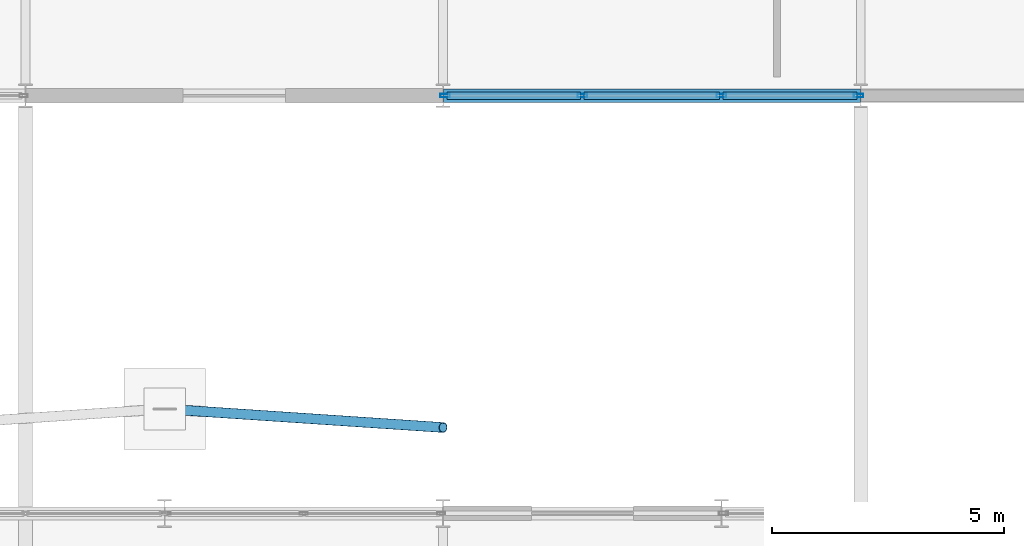
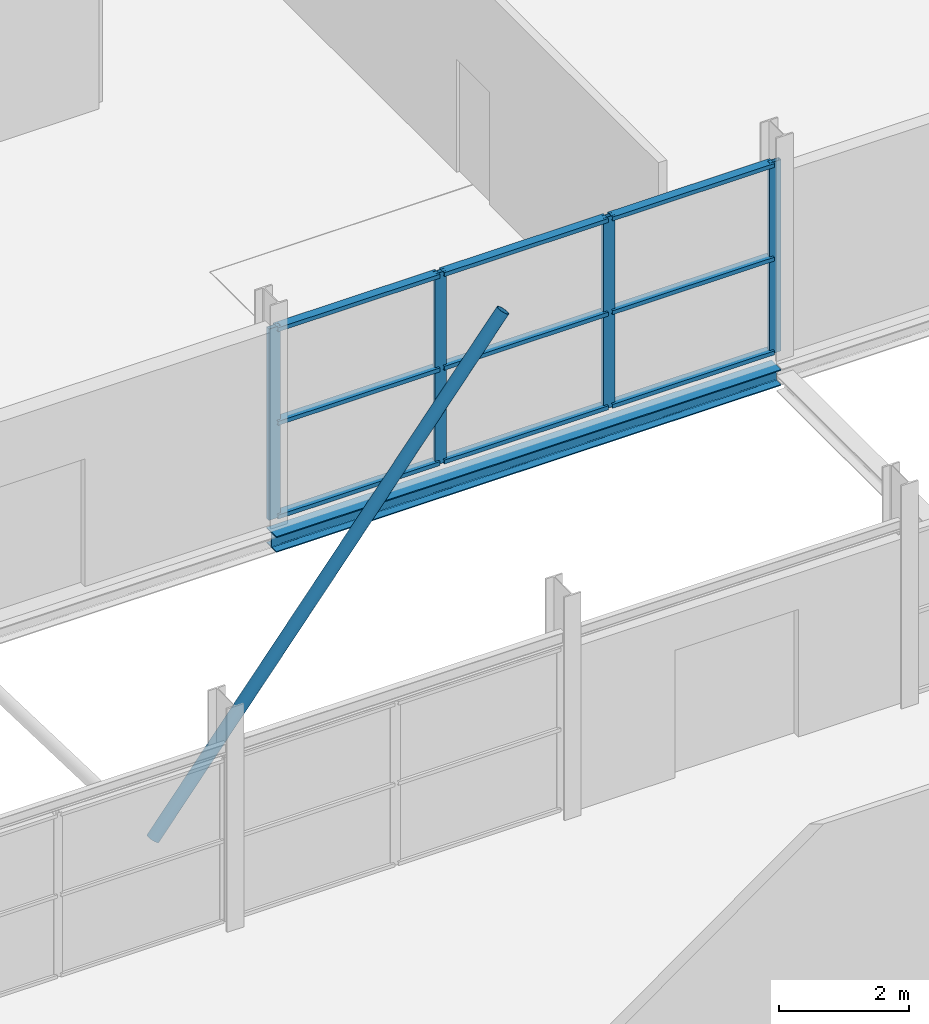
# One storey, part 44 of 140: 14 members, 1 beam, 1 element without a shape of its own.
"""IFC4 building model written with IfcOpenShell, lengths in metres."""

from ifc_helpers import new_model, si_unit, direction, frame, origin, origin_2d, place, context, subcontext, project, spatial, hollow_rectangle, hollow_circle, i_section, extrude, material, layer, layer_set, material_profile, profile_set, type_object, element, aggregate, save


model = new_model("IFC4")

# Units and contexts
model_context = context("Model", 3, precision=1e-05, world=origin(), true_north=direction((0.0, 1.0)))
body_context = subcontext(model_context, "Body", "Model", "MODEL_VIEW")
ifc_project = project(units=[si_unit("LENGTHUNIT", "METRE"), si_unit("AREAUNIT", "SQUARE_METRE"), si_unit("VOLUMEUNIT", "CUBIC_METRE"), si_unit("PLANEANGLEUNIT", "RADIAN"), si_unit("MASSUNIT", "GRAM", prefix="KILO")], contexts=[model_context])

# Site, building, storey
site_placement = place(None, origin())
site = spatial("IfcSite", under=ifc_project, at=site_placement, CompositionType="ELEMENT")
building_placement = place(site_placement, origin())
building = spatial("IfcBuilding", under=site, at=building_placement, Name="Deido Ridge Mobility Hub", CompositionType="ELEMENT")
storey_placement = place(building_placement, origin())
storey = spatial("IfcBuildingStorey", under=building, at=storey_placement, Name="L00", CompositionType="ELEMENT", Elevation=0.0)

# Member
ifc_material_1 = material(Name="Steel S355J2H EN 10210-1", Category="steel")
ifc_material_profile_1 = material_profile(ifc_material_1, hollow_circle(Radius=0.109619140625, WallThickness=0.010009765625, at=origin_2d()), Name="CHS 219.1x10")
ifc_profile_set_1 = profile_set([ifc_material_profile_1], Name="Steel S355J2H EN 10210-1")
member_type_1 = type_object("IfcMemberType", Name="MEM-BRC-CHS219", PredefinedType="BRACE", material=ifc_profile_set_1)
member_1_placement = place(storey_placement, frame((12.0, 38.25, 0.1650390625), z_axis=(0.595472226682, -0.039688456515, 0.802394948682), x_axis=(0.066502842363, 0.997786235602, 0.0)))
element("IfcMember", 1, at=member_1_placement, inside=storey, type_object=member_type_1, Name="Deconstructivist exoskeleton raked V-strut BR2", PredefinedType="BRACE", context=body_context, shape_type="SweptSolid", body=[
    extrude(hollow_circle(Radius=0.109619140625, WallThickness=0.010009765625, at=origin_2d()), origin(), (0.0, 0.0, 1.0), 10.075927734375),
])

# Curtain wall, members
ifc_material_2 = material(Name="Anodised aluminium EN AW-6063 T6", Category="aluminium")
ifc_layer = layer(ifc_material_2, 0.156005859375, Name="Anodised aluminium EN AW-6063 T6")
ifc_layer_set = layer_set([ifc_layer], Name="Anodised aluminium EN AW-6063 T6")
curtain_wall_type = type_object("IfcCurtainWallType", Name="CW-GS-3", PredefinedType="USERDEFINED", material=ifc_layer_set)
curtain_wall_placement = place(storey_placement, origin())
curtain_wall = element("IfcCurtainWall", 2, at=curtain_wall_placement, inside=storey, type_object=curtain_wall_type, Name="Unitised curtain wall GS3", ObjectType="GLAZED SCREEN", PredefinedType="USERDEFINED")
ifc_material_profile_2 = material_profile(ifc_material_2, hollow_rectangle(XDim=0.074951171875, YDim=0.205078125, WallThickness=0.00390625, at=origin_2d()), Name="RHS 75x205x4")
ifc_profile_set_2 = profile_set([ifc_material_profile_2], Name="Anodised aluminium EN AW-6063 T6")
member_type_2 = type_object("IfcMemberType", Name="MEM-MUL-75X205", PredefinedType="MULLION", material=ifc_profile_set_2)
member_2_placement = place(storey_placement, frame((18.044677734375, 45.0, 0.0), z_axis=(0.0, 0.0, 1.0), x_axis=(0.0, 1.0, 0.0)))
member_2 = element("IfcMember", 3, at=member_2_placement, type_object=member_type_2, Name="GS3 mullion 1", PredefinedType="MULLION", context=body_context, shape_type="SweptSolid", body=[
    extrude(hollow_rectangle(XDim=0.074951171875, YDim=0.205078125, WallThickness=0.00390625, at=origin_2d()), origin(), (0.0, 0.0, 1.0), 3.60009765625),
])
member_3_placement = place(storey_placement, frame((21.00244140625, 45.0, 0.0), z_axis=(0.0, 0.0, 1.0), x_axis=(0.0, 1.0, 0.0)))
member_3 = element("IfcMember", 4, at=member_3_placement, type_object=member_type_2, Name="GS3 mullion 2", PredefinedType="MULLION", context=body_context, shape_type="SweptSolid", body=[
    extrude(hollow_rectangle(XDim=0.074951171875, YDim=0.205078125, WallThickness=0.00390625, at=origin_2d()), origin(), (0.0, 0.0, 1.0), 3.60009765625),
])
member_4_placement = place(storey_placement, frame((23.99755859375, 45.0, 0.0), z_axis=(0.0, 0.0, 1.0), x_axis=(0.0, 1.0, 0.0)))
member_4 = element("IfcMember", 5, at=member_4_placement, type_object=member_type_2, Name="GS3 mullion 3", PredefinedType="MULLION", context=body_context, shape_type="SweptSolid", body=[
    extrude(hollow_rectangle(XDim=0.074951171875, YDim=0.205078125, WallThickness=0.00390625, at=origin_2d()), origin(), (0.0, 0.0, 1.0), 3.60009765625),
])
member_5_placement = place(storey_placement, frame((26.955322265625, 45.0, 0.0), z_axis=(0.0, 0.0, 1.0), x_axis=(0.0, 1.0, 0.0)))
member_5 = element("IfcMember", 6, at=member_5_placement, type_object=member_type_2, Name="GS3 mullion 4", PredefinedType="MULLION", context=body_context, shape_type="SweptSolid", body=[
    extrude(hollow_rectangle(XDim=0.074951171875, YDim=0.205078125, WallThickness=0.00390625, at=origin_2d()), origin(), (0.0, 0.0, 1.0), 3.60009765625),
])
ifc_material_profile_3 = material_profile(ifc_material_2, hollow_rectangle(XDim=0.155029296875, YDim=0.074951171875, WallThickness=0.00390625, at=origin_2d()), Name="RHS 155x75x4")
ifc_profile_set_3 = profile_set([ifc_material_profile_3], Name="Anodised aluminium EN AW-6063 T6")
member_type_3 = type_object("IfcMemberType", Name="MEM-TRN-155X75", PredefinedType="USERDEFINED", material=ifc_profile_set_3)
member_6_placement = place(storey_placement, frame((18.082275390625, 45.0, 0.03759765625), z_axis=(1.0, 0.0, 0.0), x_axis=(0.0, 1.0, 0.0)))
member_6 = element("IfcMember", 7, at=member_6_placement, type_object=member_type_3, Name="GS3 transom 1.1", ObjectType="TRANSOM", PredefinedType="USERDEFINED", context=body_context, shape_type="SweptSolid", body=[
    extrude(hollow_rectangle(XDim=0.155029296875, YDim=0.074951171875, WallThickness=0.00390625, at=origin_2d()), origin(), (0.0, 0.0, 1.0), 2.882568359375),
])
member_7_placement = place(storey_placement, frame((18.082275390625, 45.0, 1.800048828125), z_axis=(1.0, 0.0, 0.0), x_axis=(0.0, 1.0, 0.0)))
member_7 = element("IfcMember", 8, at=member_7_placement, type_object=member_type_3, Name="GS3 transom 1.2", ObjectType="TRANSOM", PredefinedType="USERDEFINED", context=body_context, shape_type="SweptSolid", body=[
    extrude(hollow_rectangle(XDim=0.155029296875, YDim=0.074951171875, WallThickness=0.00390625, at=origin_2d()), origin(), (0.0, 0.0, 1.0), 2.882568359375),
])
member_8_placement = place(storey_placement, frame((18.082275390625, 45.0, 3.5625), z_axis=(1.0, 0.0, 0.0), x_axis=(0.0, 1.0, 0.0)))
member_8 = element("IfcMember", 9, at=member_8_placement, type_object=member_type_3, Name="GS3 transom 1.3", ObjectType="TRANSOM", PredefinedType="USERDEFINED", context=body_context, shape_type="SweptSolid", body=[
    extrude(hollow_rectangle(XDim=0.155029296875, YDim=0.074951171875, WallThickness=0.00390625, at=origin_2d()), origin(), (0.0, 0.0, 1.0), 2.882568359375),
])
member_9_placement = place(storey_placement, frame((21.039794921875, 45.0, 0.03759765625), z_axis=(1.0, 0.0, 0.0), x_axis=(0.0, 1.0, 0.0)))
member_9 = element("IfcMember", 10, at=member_9_placement, type_object=member_type_3, Name="GS3 transom 2.1", ObjectType="TRANSOM", PredefinedType="USERDEFINED", context=body_context, shape_type="SweptSolid", body=[
    extrude(hollow_rectangle(XDim=0.155029296875, YDim=0.074951171875, WallThickness=0.00390625, at=origin_2d()), origin(), (0.0, 0.0, 1.0), 2.92041015625),
])
member_10_placement = place(storey_placement, frame((21.039794921875, 45.0, 1.800048828125), z_axis=(1.0, 0.0, 0.0), x_axis=(0.0, 1.0, 0.0)))
member_10 = element("IfcMember", 11, at=member_10_placement, type_object=member_type_3, Name="GS3 transom 2.2", ObjectType="TRANSOM", PredefinedType="USERDEFINED", context=body_context, shape_type="SweptSolid", body=[
    extrude(hollow_rectangle(XDim=0.155029296875, YDim=0.074951171875, WallThickness=0.00390625, at=origin_2d()), origin(), (0.0, 0.0, 1.0), 2.92041015625),
])
member_11_placement = place(storey_placement, frame((21.039794921875, 45.0, 3.5625), z_axis=(1.0, 0.0, 0.0), x_axis=(0.0, 1.0, 0.0)))
member_11 = element("IfcMember", 12, at=member_11_placement, type_object=member_type_3, Name="GS3 transom 2.3", ObjectType="TRANSOM", PredefinedType="USERDEFINED", context=body_context, shape_type="SweptSolid", body=[
    extrude(hollow_rectangle(XDim=0.155029296875, YDim=0.074951171875, WallThickness=0.00390625, at=origin_2d()), origin(), (0.0, 0.0, 1.0), 2.92041015625),
])
member_12_placement = place(storey_placement, frame((24.03515625, 45.0, 0.03759765625), z_axis=(1.0, 0.0, 0.0), x_axis=(0.0, 1.0, 0.0)))
member_12 = element("IfcMember", 13, at=member_12_placement, type_object=member_type_3, Name="GS3 transom 3.1", ObjectType="TRANSOM", PredefinedType="USERDEFINED", context=body_context, shape_type="SweptSolid", body=[
    extrude(hollow_rectangle(XDim=0.155029296875, YDim=0.074951171875, WallThickness=0.00390625, at=origin_2d()), origin(), (0.0, 0.0, 1.0), 2.882568359375),
])
member_13_placement = place(storey_placement, frame((24.03515625, 45.0, 1.800048828125), z_axis=(1.0, 0.0, 0.0), x_axis=(0.0, 1.0, 0.0)))
member_13 = element("IfcMember", 14, at=member_13_placement, type_object=member_type_3, Name="GS3 transom 3.2", ObjectType="TRANSOM", PredefinedType="USERDEFINED", context=body_context, shape_type="SweptSolid", body=[
    extrude(hollow_rectangle(XDim=0.155029296875, YDim=0.074951171875, WallThickness=0.00390625, at=origin_2d()), origin(), (0.0, 0.0, 1.0), 2.882568359375),
])
member_14_placement = place(storey_placement, frame((24.03515625, 45.0, 3.5625), z_axis=(1.0, 0.0, 0.0), x_axis=(0.0, 1.0, 0.0)))
member_14 = element("IfcMember", 15, at=member_14_placement, type_object=member_type_3, Name="GS3 transom 3.3", ObjectType="TRANSOM", PredefinedType="USERDEFINED", context=body_context, shape_type="SweptSolid", body=[
    extrude(hollow_rectangle(XDim=0.155029296875, YDim=0.074951171875, WallThickness=0.00390625, at=origin_2d()), origin(), (0.0, 0.0, 1.0), 2.882568359375),
])
aggregate(curtain_wall, [member_2, member_3, member_4, member_5, member_6, member_7, member_8, member_9, member_10, member_11, member_12, member_13, member_14])

# Beam
ifc_material_3 = material(Name="Steel S355J2 EN 10025-2", Category="steel")
ifc_material_profile_4 = material_profile(ifc_material_3, i_section(OverallWidth=0.300048828125, OverallDepth=0.300048828125, WebThickness=0.010986328125, FlangeThickness=0.01904296875, FilletRadius=0.027099609375, at=origin_2d()), Name="HEB 300")
ifc_profile_set_4 = profile_set([ifc_material_profile_4], Name="Steel S355J2 EN 10025-2")
beam_type = type_object("IfcBeamType", Name="SPD-HEB300", PredefinedType="SPANDREL", material=ifc_profile_set_4)
beam_placement = place(storey_placement, frame((18.007080078125, 45.0, -0.409912109375), z_axis=(1.0, 0.0, 0.0), x_axis=(0.0, 1.0, 0.0)))
element("IfcBeam", 16, at=beam_placement, inside=storey, type_object=beam_type, Name="Floor beam SP1", PredefinedType="SPANDREL", context=body_context, shape_type="SweptSolid", body=[
    extrude(i_section(OverallWidth=0.300048828125, OverallDepth=0.300048828125, WebThickness=0.010986328125, FlangeThickness=0.01904296875, FilletRadius=0.027099609375, at=origin_2d()), origin(), (0.0, 0.0, 1.0), 8.98583984375),
])

save(model, "model.ifc")
